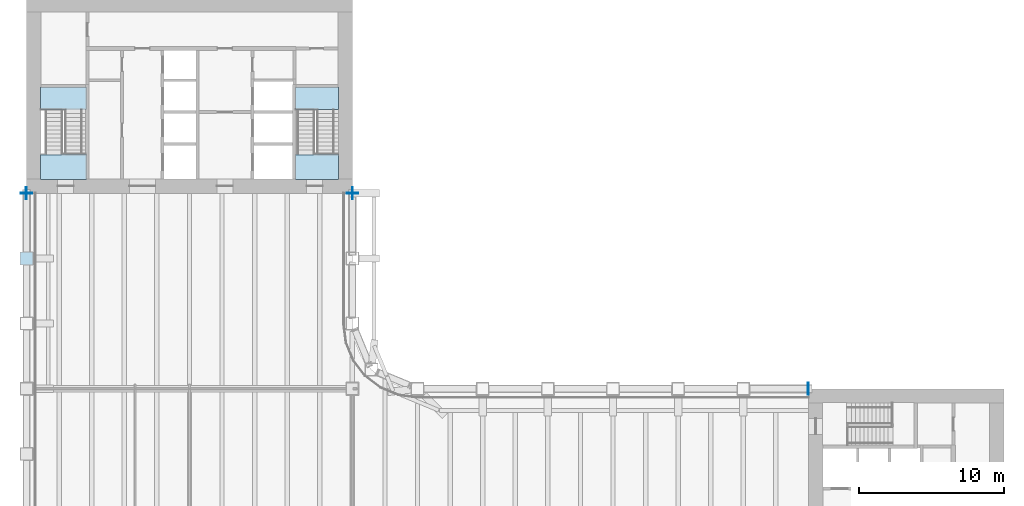
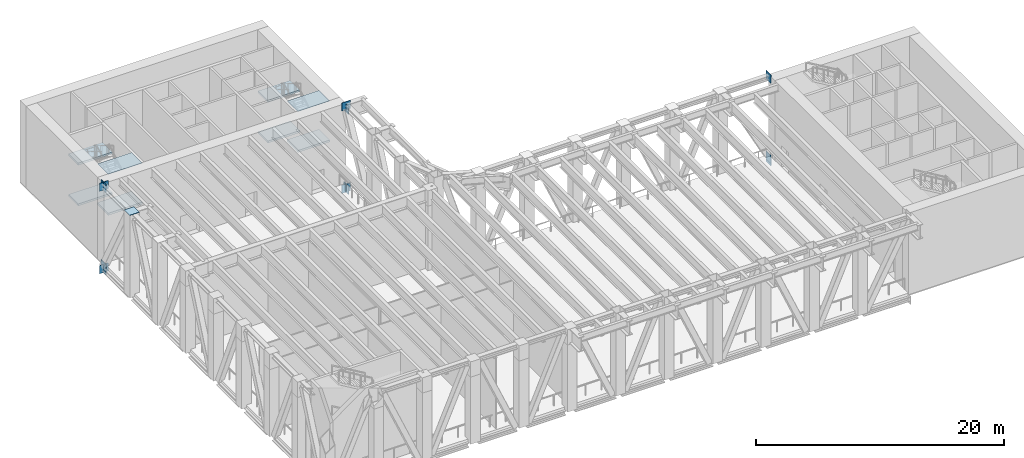
# One storey, part 5 of 16: 15 plates, 8 slabs, 2 elements without a shape of their own.
"""IFC4 building model written with IfcOpenShell, lengths in metres."""

from ifc_helpers import new_model, si_unit, direction, frame, origin, origin_2d, place, context, subcontext, project, spatial, polyline, rectangle, outline, extrude, material, layer, layer_set, type_object, element, aggregate, save


model = new_model("IFC4")

# Units and contexts
model_context = context("Model", 3, precision=1e-05, world=origin(), true_north=direction((0.0, 1.0)))
body_context = subcontext(model_context, "Body", "Model", "MODEL_VIEW")
ifc_project = project(units=[si_unit("LENGTHUNIT", "METRE"), si_unit("AREAUNIT", "SQUARE_METRE"), si_unit("VOLUMEUNIT", "CUBIC_METRE"), si_unit("PLANEANGLEUNIT", "RADIAN"), si_unit("MASSUNIT", "GRAM", prefix="KILO")], contexts=[model_context])

# Site, building, storey
site_placement = place(None, origin())
site = spatial("IfcSite", under=ifc_project, at=site_placement, CompositionType="ELEMENT")
building_placement = place(site_placement, origin())
building = spatial("IfcBuilding", under=site, at=building_placement, Name="Sennacour Bend Tower", CompositionType="ELEMENT")
storey_placement = place(building_placement, frame((0.0, 0.0, 187.0)))
storey = spatial("IfcBuildingStorey", under=building, at=storey_placement, Name="L43", CompositionType="ELEMENT", Elevation=187.0)

# Plates
ifc_material_1 = material(Name="Steel ASTM A572 Grade 50", Category="steel")
ifc_layer_1 = layer(ifc_material_1, 0.0400390625, Name="Steel ASTM A572 Grade 50", Category="steel")
ifc_layer_set_1 = layer_set([ifc_layer_1], Name="Steel ASTM A572 Grade 50")
plate_type_1 = type_object("IfcPlateType", Name="Cast-in plate 40", PredefinedType="USERDEFINED", material=ifc_layer_set_1)
plate_1_placement = place(storey_placement, frame((0.0, 36.0, -0.87744140625), z_axis=(0.0, 0.0, 1.0), x_axis=(1.0, 0.0, 0.0)))
element("IfcPlate", 1, at=plate_1_placement, inside=storey, type_object=plate_type_1, Name="Cast-in plate CP 40", ObjectType="CAST-IN PLATE", PredefinedType="USERDEFINED", context=body_context, shape_type="SweptSolid", body=[
    extrude(rectangle(XDim=0.800048828125, YDim=0.0400390625, at=origin_2d()), origin(), (0.0, 0.0, 1.0), 0.800048828125),
])
plate_2_placement = place(storey_placement, frame((-0.02001953125, 36.0, -0.87744140625), z_axis=(0.0, 0.0, 1.0), x_axis=(1.0, 0.0, 0.0)))
element("IfcPlate", 2, at=plate_2_placement, inside=storey, type_object=plate_type_1, Name="Cast-in plate CP BC 40", ObjectType="CAST-IN PLATE", PredefinedType="USERDEFINED", context=body_context, shape_type="SweptSolid", body=[
    extrude(rectangle(XDim=0.0400390625, YDim=0.800048828125, at=origin_2d()), origin(), (0.0, 0.0, 1.0), 0.800048828125),
])
plate_3_placement = place(storey_placement, frame((22.5, 36.0, -0.87744140625), z_axis=(0.0, 0.0, 1.0), x_axis=(1.0, 0.0, 0.0)))
element("IfcPlate", 3, at=plate_3_placement, inside=storey, type_object=plate_type_1, Name="Cast-in plate CP 40", ObjectType="CAST-IN PLATE", PredefinedType="USERDEFINED", context=body_context, shape_type="SweptSolid", body=[
    extrude(rectangle(XDim=0.800048828125, YDim=0.0400390625, at=origin_2d()), origin(), (0.0, 0.0, 1.0), 0.800048828125),
])
for number, where, z_axis, x_axis, name in (
    (4, (22.52001953125, 36.0, -0.87744140625), (0.0, 0.0, 1.0), (1.0, 0.0, 0.0), "Cast-in plate CP BC 40"),
    (5, (54.0, 22.5, -0.87744140625), (0.0, 0.0, 1.0), (1.0, 0.0, 0.0), "Cast-in plate CP 40"),
    (6, (53.97998046875, 22.5, -0.87744140625), (0.0, 0.0, 1.0), (1.0, 0.0, 0.0), "Cast-in plate CP BC 40"),
):
    element("IfcPlate", number, at=place(storey_placement, frame(where, z_axis=z_axis, x_axis=x_axis)), inside=storey, type_object=plate_type_1, Name=name, ObjectType="CAST-IN PLATE", PredefinedType="USERDEFINED", context=body_context, shape_type="SweptSolid", body=[
        extrude(rectangle(XDim=0.0400390625, YDim=0.800048828125, at=origin_2d()), origin(), (0.0, 0.0, 1.0), 0.800048828125),
    ])
plate_4_placement = place(storey_placement, frame((0.0, 36.0, 7.22265625), z_axis=(0.0, 0.0, 1.0), x_axis=(1.0, 0.0, 0.0)))
element("IfcPlate", 7, at=plate_4_placement, inside=storey, type_object=plate_type_1, Name="Cast-in plate CP 40", ObjectType="CAST-IN PLATE", PredefinedType="USERDEFINED", context=body_context, shape_type="SweptSolid", body=[
    extrude(rectangle(XDim=0.800048828125, YDim=0.0400390625, at=origin_2d()), origin(), (0.0, 0.0, 1.0), 0.800048828125),
])
plate_5_placement = place(storey_placement, frame((-0.02001953125, 36.0, 7.22265625), z_axis=(0.0, 0.0, 1.0), x_axis=(1.0, 0.0, 0.0)))
element("IfcPlate", 8, at=plate_5_placement, inside=storey, type_object=plate_type_1, Name="Cast-in plate CP BC 40", ObjectType="CAST-IN PLATE", PredefinedType="USERDEFINED", context=body_context, shape_type="SweptSolid", body=[
    extrude(rectangle(XDim=0.0400390625, YDim=0.800048828125, at=origin_2d()), origin(), (0.0, 0.0, 1.0), 0.800048828125),
])
plate_6_placement = place(storey_placement, frame((22.5, 36.0, 7.22265625), z_axis=(0.0, 0.0, 1.0), x_axis=(1.0, 0.0, 0.0)))
element("IfcPlate", 9, at=plate_6_placement, inside=storey, type_object=plate_type_1, Name="Cast-in plate CP 40", ObjectType="CAST-IN PLATE", PredefinedType="USERDEFINED", context=body_context, shape_type="SweptSolid", body=[
    extrude(rectangle(XDim=0.800048828125, YDim=0.0400390625, at=origin_2d()), origin(), (0.0, 0.0, 1.0), 0.800048828125),
])
for number, where, z_axis, x_axis, name in (
    (10, (54.0, 22.5, 7.22265625), (0.0, 0.0, 1.0), (1.0, 0.0, 0.0), "Cast-in plate CP 40"),
    (11, (53.97998046875, 22.5, 7.22265625), (0.0, 0.0, 1.0), (1.0, 0.0, 0.0), "Cast-in plate CP BC 40"),
    (12, (53.97998046875, 22.5, -0.64990234375), (0.0, 0.0, 1.0), (1.0, 0.0, 0.0), "Cast-in plate CP OTD 40"),
    (13, (-0.02001953125, 36.0, -0.64990234375), (0.0, 0.0, 1.0), (1.0, 0.0, 0.0), "Cast-in plate CP OTD 40"),
    (14, (22.52001953125, 36.0, 6.9951171875), (0.0, 0.0, 1.0), (1.0, 0.0, 0.0), "Cast-in plate CP OTD 40"),
):
    element("IfcPlate", number, at=place(storey_placement, frame(where, z_axis=z_axis, x_axis=x_axis)), inside=storey, type_object=plate_type_1, Name=name, ObjectType="CAST-IN PLATE", PredefinedType="USERDEFINED", context=body_context, shape_type="SweptSolid", body=[
        extrude(rectangle(XDim=0.0400390625, YDim=0.800048828125, at=origin_2d()), origin(), (0.0, 0.0, 1.0), 0.800048828125),
    ])
ifc_layer_2 = layer(ifc_material_1, 0.02490234375, Name="Steel ASTM A572 Grade 50", Category="steel")
ifc_layer_set_2 = layer_set([ifc_layer_2], Name="Steel ASTM A572 Grade 50")
plate_type_2 = type_object("IfcPlateType", Name="Column cap plate 900", PredefinedType="USERDEFINED", material=ifc_layer_set_2)
plate_7_placement = place(storey_placement, frame((0.0, 31.5, 7.85009765625), z_axis=(0.0, 0.0, 1.0), x_axis=(1.0, 0.0, 0.0)))
element("IfcPlate", 15, at=plate_7_placement, inside=storey, type_object=plate_type_2, Name="Column cap plate L43-008", ObjectType="END PLATE", PredefinedType="USERDEFINED", context=body_context, shape_type="SweptSolid", body=[
    extrude(rectangle(XDim=0.89990234375, YDim=0.89990234375, at=origin_2d()), origin(), (0.0, 0.0, 1.0), 0.02490234375),
])

# Slabs
ifc_material_2 = material(Name="Concrete C40/50", Category="concrete")
ifc_layer_3 = layer(ifc_material_2, 0.034912109375, Name="Concrete C40/50", Category="concrete")
ifc_layer_set_3 = layer_set([ifc_layer_3], Name="Concrete C40/50")
slab_type_1 = type_object("IfcSlabType", Name="Stair arrival nib 35", PredefinedType="FLOOR", material=ifc_layer_set_3)
slab_1_placement = place(storey_placement, frame((0.0, 0.0, 7.815185546875)))
element("IfcSlab", 16, at=slab_1_placement, inside=storey, type_object=slab_type_1, Name="L43 SB1 stair arrival nib", PredefinedType="FLOOR", context=body_context, shape_type="SweptSolid", body=[
    extrude(outline(polyline([(0.949951171875, 38.64208984375), (0.949951171875, 36.949951171875), (4.125, 36.949951171875), (4.125, 38.64208984375), (0.949951171875, 38.64208984375)])), origin(), (0.0, 0.0, 1.0), 0.034912109375),
])
slab_2_placement = place(storey_placement, frame((0.0, 0.0, 7.815185546875)))
element("IfcSlab", 17, at=slab_2_placement, inside=storey, type_object=slab_type_1, Name="L43 SB2 stair arrival nib", PredefinedType="FLOOR", context=body_context, shape_type="SweptSolid", body=[
    extrude(outline(polyline([(18.574951171875, 38.64208984375), (18.574951171875, 36.949951171875), (21.550048828125, 36.949951171875), (21.550048828125, 38.64208984375), (18.574951171875, 38.64208984375)])), origin(), (0.0, 0.0, 1.0), 0.034912109375),
])

# Stair, slabs
stair_type = type_object("IfcStairType", Name="ST-DOGLEG", PredefinedType="HALF_TURN_STAIR", material=ifc_material_2)
stair_1_placement = place(storey_placement, origin())
stair_1 = element("IfcStair", 18, at=stair_1_placement, inside=storey, type_object=stair_type, Name="L43 Exit stair B1", PredefinedType="HALF_TURN_STAIR")
ifc_layer_4 = layer(ifc_material_2, 0.199951171875, Name="Concrete C40/50", Category="concrete")
ifc_layer_set_4 = layer_set([ifc_layer_4], Name="Concrete C40/50")
slab_type_2 = type_object("IfcSlabType", Name="Stair landing 200", PredefinedType="LANDING", material=ifc_layer_set_4)
slab_3_placement = place(storey_placement, frame((0.0, 0.0, 1.800048828125)))
slab_3 = element("IfcSlab", 19, at=slab_3_placement, type_object=slab_type_2, Name="SB1 landing 1", PredefinedType="LANDING", context=body_context, shape_type="SweptSolid", body=[
    extrude(outline(polyline([(0.949951171875, 41.780029296875), (4.125, 41.780029296875), (4.125, 43.324951171875), (0.949951171875, 43.324951171875), (0.949951171875, 41.780029296875)])), origin(), (0.0, 0.0, 1.0), 0.199951171875),
])
slab_4_placement = place(storey_placement, frame((0.0, 0.0, 3.800048828125)))
slab_4 = element("IfcSlab", 20, at=slab_4_placement, type_object=slab_type_2, Name="SB1 landing 2", PredefinedType="LANDING", context=body_context, shape_type="SweptSolid", body=[
    extrude(outline(polyline([(0.949951171875, 36.949951171875), (4.125, 36.949951171875), (4.125, 38.699951171875), (0.949951171875, 38.699951171875), (0.949951171875, 36.949951171875)])), origin(), (0.0, 0.0, 1.0), 0.199951171875),
])
slab_5_placement = place(storey_placement, frame((0.0, 0.0, 5.800048828125)))
slab_5 = element("IfcSlab", 21, at=slab_5_placement, type_object=slab_type_2, Name="SB1 landing 3", PredefinedType="LANDING", context=body_context, shape_type="SweptSolid", body=[
    extrude(outline(polyline([(0.949951171875, 41.780029296875), (4.125, 41.780029296875), (4.125, 43.324951171875), (0.949951171875, 43.324951171875), (0.949951171875, 41.780029296875)])), origin(), (0.0, 0.0, 1.0), 0.199951171875),
])
aggregate(stair_1, [slab_3, slab_4, slab_5])

stair_2_placement = place(storey_placement, origin())
stair_2 = element("IfcStair", 22, at=stair_2_placement, inside=storey, type_object=stair_type, Name="L43 Exit stair B2", PredefinedType="HALF_TURN_STAIR")
slab_6_placement = place(storey_placement, frame((0.0, 0.0, 1.800048828125)))
slab_6 = element("IfcSlab", 23, at=slab_6_placement, type_object=slab_type_2, Name="SB2 landing 1", PredefinedType="LANDING", context=body_context, shape_type="SweptSolid", body=[
    extrude(outline(polyline([(18.574951171875, 41.780029296875), (21.550048828125, 41.780029296875), (21.550048828125, 43.324951171875), (18.574951171875, 43.324951171875), (18.574951171875, 41.780029296875)])), origin(), (0.0, 0.0, 1.0), 0.199951171875),
])
slab_7_placement = place(storey_placement, frame((0.0, 0.0, 3.800048828125)))
slab_7 = element("IfcSlab", 24, at=slab_7_placement, type_object=slab_type_2, Name="SB2 landing 2", PredefinedType="LANDING", context=body_context, shape_type="SweptSolid", body=[
    extrude(outline(polyline([(18.574951171875, 36.949951171875), (21.550048828125, 36.949951171875), (21.550048828125, 38.699951171875), (18.574951171875, 38.699951171875), (18.574951171875, 36.949951171875)])), origin(), (0.0, 0.0, 1.0), 0.199951171875),
])
slab_8_placement = place(storey_placement, frame((0.0, 0.0, 5.800048828125)))
slab_8 = element("IfcSlab", 25, at=slab_8_placement, type_object=slab_type_2, Name="SB2 landing 3", PredefinedType="LANDING", context=body_context, shape_type="SweptSolid", body=[
    extrude(outline(polyline([(18.574951171875, 41.780029296875), (21.550048828125, 41.780029296875), (21.550048828125, 43.324951171875), (18.574951171875, 43.324951171875), (18.574951171875, 41.780029296875)])), origin(), (0.0, 0.0, 1.0), 0.199951171875),
])
aggregate(stair_2, [slab_6, slab_7, slab_8])

save(model, "model.ifc")
